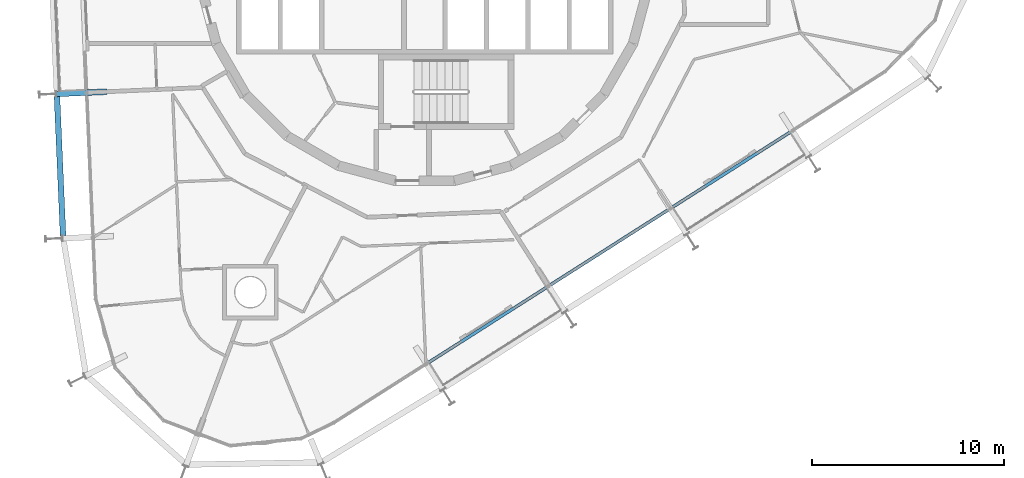
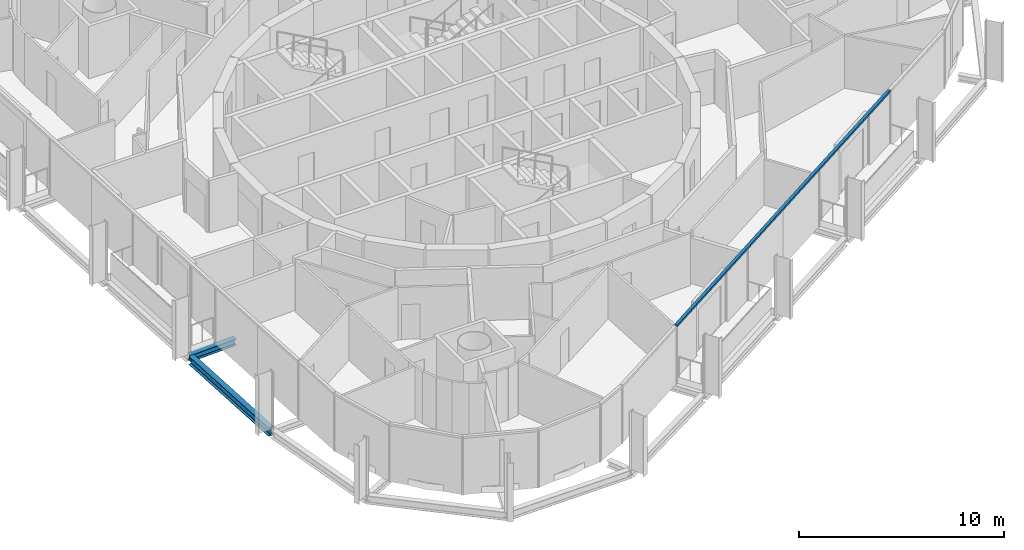
# One storey, part 3 of 18: 2 beams, 1 member, 1 element without a shape of its own.
"""IFC4 building model written with IfcOpenShell, lengths in metres."""

from ifc_helpers import new_model, si_unit, direction, frame, origin, origin_2d, place, context, subcontext, project, spatial, rectangle, i_section, extrude, material, layer, layer_set, material_profile, profile_set, type_object, element, aggregate, save


model = new_model("IFC4")

# Units and contexts
model_context = context("Model", 3, precision=1e-05, world=origin(), true_north=direction((0.0, 1.0)))
body_context = subcontext(model_context, "Body", "Model", "MODEL_VIEW")
ifc_project = project(units=[si_unit("LENGTHUNIT", "METRE"), si_unit("AREAUNIT", "SQUARE_METRE"), si_unit("VOLUMEUNIT", "CUBIC_METRE"), si_unit("PLANEANGLEUNIT", "RADIAN"), si_unit("MASSUNIT", "GRAM", prefix="KILO")], contexts=[model_context])

# Site, building, storey
site_placement = place(None, origin())
site = spatial("IfcSite", under=ifc_project, at=site_placement, CompositionType="ELEMENT")
building_placement = place(site_placement, origin())
building = spatial("IfcBuilding", under=site, at=building_placement, Name="Spindle Arch Residences", CompositionType="ELEMENT")
storey_placement = place(building_placement, frame((0.0, 0.0, 233.699951171875)))
storey = spatial("IfcBuildingStorey", under=building, at=storey_placement, Name="L59", CompositionType="ELEMENT", Elevation=233.699951171875)

# Curtain wall, member
ifc_material_1 = material(Name="Aluminium bronze unitised frame with tinted glass", Category="aluminium")
ifc_layer = layer(ifc_material_1, 0.159912109375)
ifc_layer_set = layer_set([ifc_layer], Name="CW-C typical residential unitised wall")
curtain_wall_type = type_object("IfcCurtainWallType", Name="CW-C typical residential unitised wall", PredefinedType="NOTDEFINED", material=ifc_layer_set)
curtain_wall_placement = place(storey_placement, origin())
curtain_wall = element("IfcCurtainWall", 1, at=curtain_wall_placement, inside=storey, type_object=curtain_wall_type, Name="CW-C L59 run 6", PredefinedType="NOTDEFINED")
ifc_material_2 = material(Name="Aluminium bronze anodised transom", Category="aluminium")
ifc_material_profile_1 = material_profile(ifc_material_2, rectangle(XDim=0.159912109375, YDim=0.1201171875, at=origin_2d()), Name="TR 120x160")
ifc_profile_set_1 = profile_set([ifc_material_profile_1], Name="Aluminium bronze anodised transom")
member_type = type_object("IfcMemberType", Name="Bronze transom 120x160", PredefinedType="USERDEFINED", material=ifc_profile_set_1)
member_placement = place(storey_placement, frame((0.12451171875, -21.16162109375, 3.06005859375), z_axis=(0.84339053968, 0.537301030688, 0.0), x_axis=(-0.537301030688, 0.84339053968, 0.0)))
member = element("IfcMember", 2, at=member_placement, type_object=member_type, Name="CW-C transom 00", ObjectType="TRANSOM", PredefinedType="USERDEFINED", context=body_context, shape_type="SweptSolid", body=[
    extrude(rectangle(XDim=0.159912109375, YDim=0.1201171875, at=origin_2d()), origin(), (0.0, 0.0, 1.0), 22.530029296875),
])
aggregate(curtain_wall, [member])

# Beams
ifc_material_3 = material(Name="Steel S460ML, intumescent coating R 120", Category="steel")
ifc_material_profile_2 = material_profile(ifc_material_3, i_section(OverallWidth=0.300048828125, OverallDepth=0.5, WebThickness=0.014404296875, FlangeThickness=0.028076171875, FilletRadius=0.027099609375, at=origin_2d()), Name="HEB 500")
ifc_profile_set_2 = profile_set([ifc_material_profile_2], Name="Steel S460ML, intumescent coating R 120")
beam_type_1 = type_object("IfcBeamType", Name="Exoskeleton edge beam HEB 500", PredefinedType="BEAM", material=ifc_profile_set_2)
beam_1_placement = place(storey_placement, frame((-19.156494140625, -7.24755859375, -0.6298828125), z_axis=(0.043622301665, -0.999048094337, 0.0), x_axis=(0.999048094337, 0.043622301665, 0.0)))
element("IfcBeam", 3, at=beam_1_placement, inside=storey, type_object=beam_type_1, Name="Exoskeleton edge beam 16", PredefinedType="BEAM", context=body_context, shape_type="SweptSolid", body=[
    extrude(i_section(OverallWidth=0.300048828125, OverallDepth=0.5, WebThickness=0.014404296875, FlangeThickness=0.028076171875, FilletRadius=0.027099609375, at=origin_2d()), origin(), (0.0, 0.0, 1.0), 7.27001953125),
])
ifc_material_4 = material(Name="Steel S460ML, intumescent coating R 120", Category="steel")
ifc_material_profile_3 = material_profile(ifc_material_4, i_section(OverallWidth=0.300048828125, OverallDepth=0.389892578125, WebThickness=0.010986328125, FlangeThickness=0.01904296875, FilletRadius=0.027099609375, at=origin_2d()), Name="HEA 400")
ifc_profile_set_3 = profile_set([ifc_material_profile_3], Name="Steel S460ML, intumescent coating R 120")
beam_type_2 = type_object("IfcBeamType", Name="Floor outrigger HEA 400", PredefinedType="BEAM", material=ifc_profile_set_3)
beam_2_placement = place(storey_placement, frame((-19.192138671875, -7.118896484375, -0.574951171875), z_axis=(0.999050064545, 0.04357715608, 0.0), x_axis=(-0.04357715608, 0.999050064545, 0.0)))
element("IfcBeam", 4, at=beam_2_placement, inside=storey, type_object=beam_type_2, Name="Floor outrigger 16", PredefinedType="BEAM", context=body_context, shape_type="SweptSolid", body=[
    extrude(i_section(OverallWidth=0.300048828125, OverallDepth=0.389892578125, WebThickness=0.010986328125, FlangeThickness=0.01904296875, FilletRadius=0.027099609375, at=origin_2d()), origin(), (0.0, 0.0, 1.0), 2.64990234375),
])

save(model, "model.ifc")
